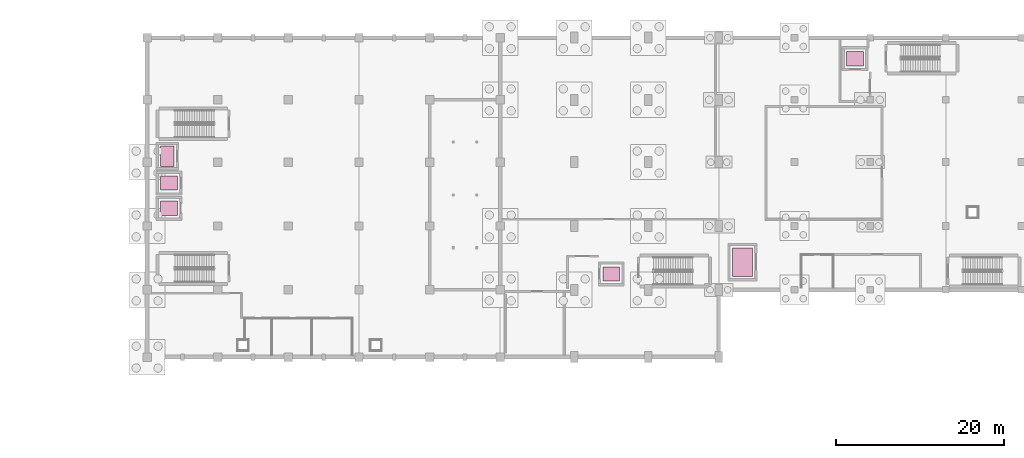
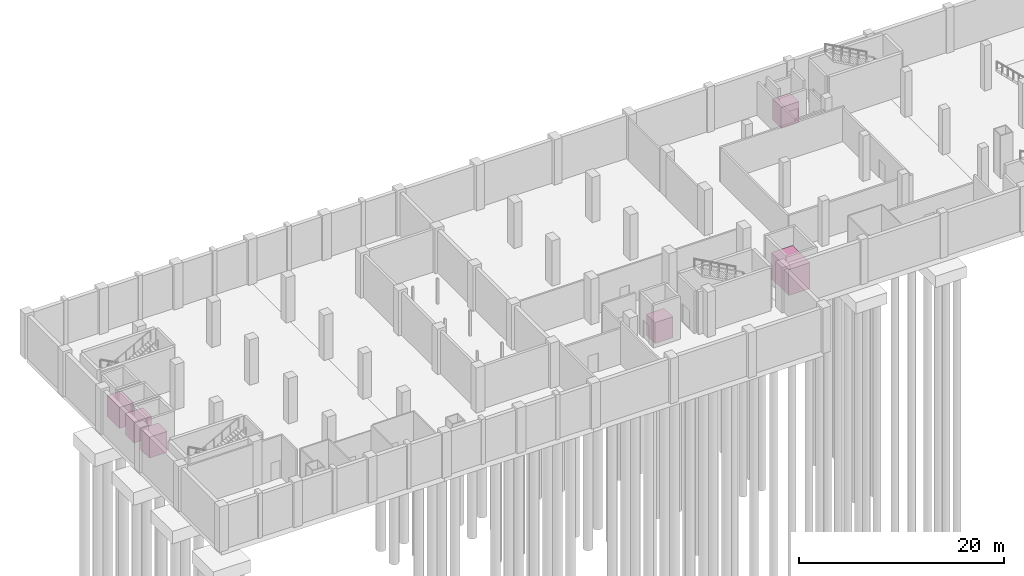
# One storey, part 20 of 20: 6 transport elements.
"""IFC4 building model written with IfcOpenShell, lengths in metres."""

from ifc_helpers import new_model, si_unit, direction, frame, origin, origin_2d, place, context, subcontext, project, spatial, rectangle, extrude, material, type_object, element, save


model = new_model("IFC4")

# Units and contexts
model_context = context("Model", 3, precision=1e-05, world=origin(), true_north=direction((0.0, 1.0)))
body_context = subcontext(model_context, "Body", "Model", "MODEL_VIEW")
ifc_project = project(units=[si_unit("LENGTHUNIT", "METRE"), si_unit("AREAUNIT", "SQUARE_METRE"), si_unit("VOLUMEUNIT", "CUBIC_METRE"), si_unit("PLANEANGLEUNIT", "RADIAN"), si_unit("MASSUNIT", "GRAM", prefix="KILO")], contexts=[model_context])

# Site, building, storey
site_placement = place(None, origin())
site = spatial("IfcSite", under=ifc_project, at=site_placement, CompositionType="ELEMENT")
building_placement = place(site_placement, origin())
building = spatial("IfcBuilding", under=site, at=building_placement, Name="Shengluoqiao Park Theatre", CompositionType="ELEMENT")
storey_placement = place(building_placement, frame((0.0, 0.0, -5.39990234375)))
storey = spatial("IfcBuildingStorey", under=building, at=storey_placement, Name="B1", CompositionType="ELEMENT", Elevation=-5.39990234375)

# Transport elements
ifc_material = material(Name="Stainless steel 304", Category="steel")
transport_element_type_1 = type_object("IfcTransportElementType", Name="INT-LFT-FRT", PredefinedType="ELEVATOR", material=ifc_material)
transport_element_1_placement = place(storey_placement, frame((115.199951171875, 87.300048828125, -0.000244140625), z_axis=(0.0, 0.0, 1.0), x_axis=(1.0, 0.0, 0.0)))
element("IfcTransportElement", 1, at=transport_element_1_placement, inside=storey, type_object=transport_element_type_1, Name="Scenery Freight Lift FL1", PredefinedType="ELEVATOR", context=body_context, shape_type="SweptSolid", body=[
    extrude(rectangle(XDim=2.39990234375, YDim=3.39990234375, at=origin_2d()), origin(), (0.0, 0.0, 1.0), 3.10009765625),
])
transport_element_type_2 = type_object("IfcTransportElementType", Name="INT-LFT-PAX", PredefinedType="ELEVATOR", material=ifc_material)
for number, where, z_axis, x_axis, name in (
    (2, (47.0, 93.699951171875, 0.0), (0.0, 0.0, 1.0), (1.0, 0.0, 0.0), "Passenger Lift PL3"),
    (3, (47.0, 96.699951171875, 0.0), (0.0, 0.0, 1.0), (1.0, 0.0, 0.0), "Passenger Lift PL4"),
    (4, (99.60009765625, 85.89990234375, 0.0), (0.0, 0.0, 1.0), (1.0, 0.0, 0.0), "Firefighting Lift FF1"),
    (5, (128.60009765625, 111.5, 0.0), (0.0, 0.0, 1.0), (1.0, 0.0, 0.0), "Firefighting Lift FF2"),
):
    element("IfcTransportElement", number, at=place(storey_placement, frame(where, z_axis=z_axis, x_axis=x_axis)), inside=storey, type_object=transport_element_type_2, Name=name, PredefinedType="ELEVATOR", context=body_context, shape_type="SweptSolid", body=[
        extrude(rectangle(XDim=2.0, YDim=1.699951171875, at=origin_2d()), origin(), (0.0, 0.0, 1.0), 2.5),
    ])
transport_element_type_3 = type_object("IfcTransportElementType", Name="INT-LFT-STR", PredefinedType="ELEVATOR", material=ifc_material)
transport_element_2_placement = place(storey_placement, frame((46.800048828125, 99.89990234375, 0.0), z_axis=(0.0, 0.0, 1.0), x_axis=(1.0, 0.0, 0.0)))
element("IfcTransportElement", 6, at=transport_element_2_placement, inside=storey, type_object=transport_element_type_3, Name="Accessible Stretcher Lift AL1", PredefinedType="ELEVATOR", context=body_context, shape_type="SweptSolid", body=[
    extrude(rectangle(XDim=1.60009765625, YDim=2.39990234375, at=origin_2d()), origin(), (0.0, 0.0, 1.0), 2.5),
])

save(model, "model.ifc")
